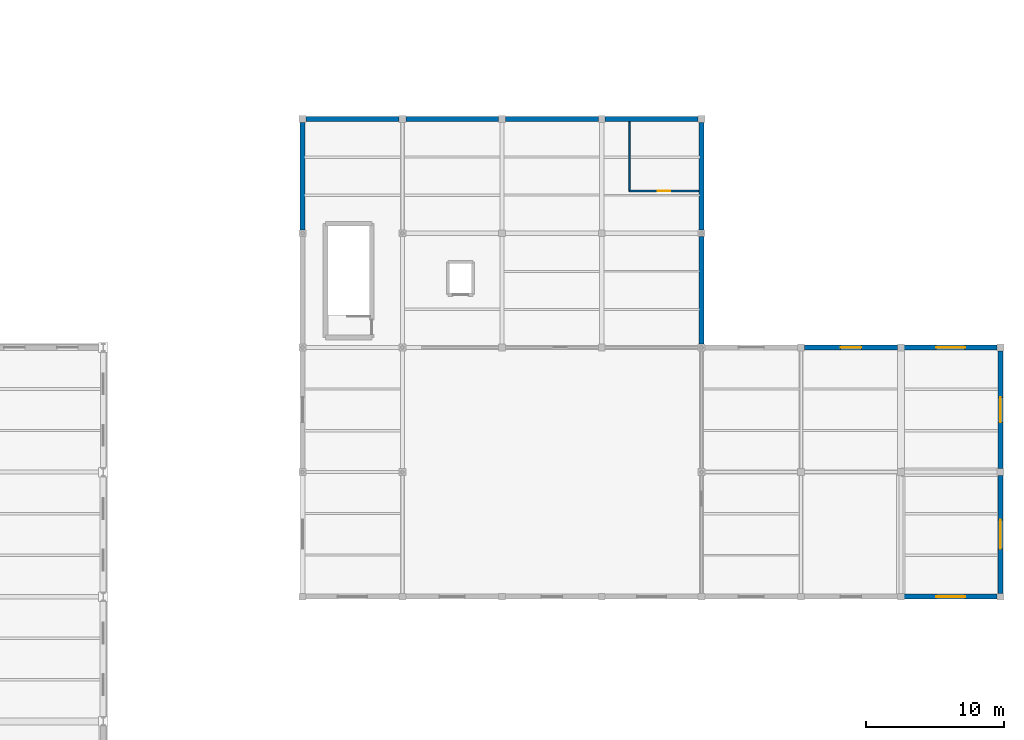
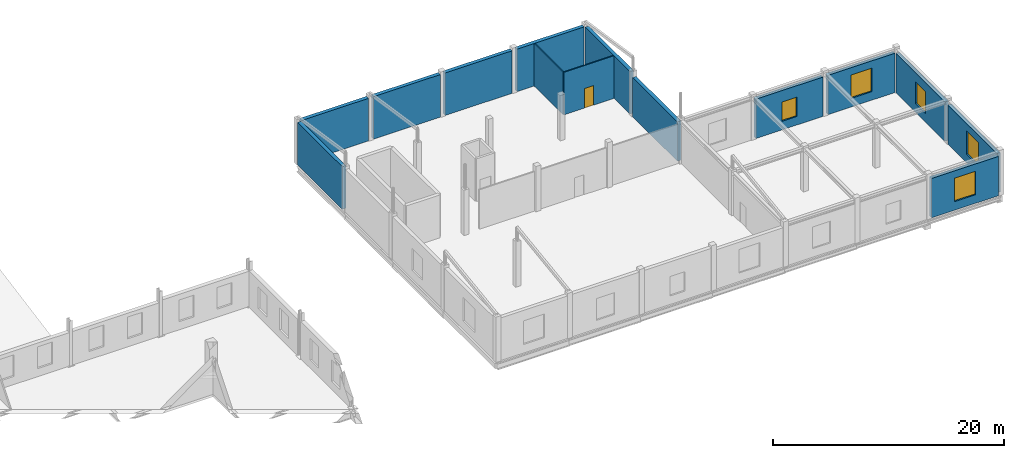
# One storey, part 22 of 35: 14 walls, 5 windows, 1 door, 6 openings.
"""IFC4 building model written with IfcOpenShell, lengths in metres."""

from ifc_helpers import new_model, si_unit, direction, frame, frame_2d, origin, place, context, subcontext, project, spatial, rectangle, extrude, material, layer, layer_set, type_object, element, fill, save


model = new_model("IFC4")

# Units and contexts
model_context = context("Model", 3, precision=1e-05, world=origin(), true_north=direction((0.0, 1.0)))
body_context = subcontext(model_context, "Body", "Model", "MODEL_VIEW")
ifc_project = project(units=[si_unit("LENGTHUNIT", "METRE"), si_unit("AREAUNIT", "SQUARE_METRE"), si_unit("VOLUMEUNIT", "CUBIC_METRE"), si_unit("PLANEANGLEUNIT", "RADIAN"), si_unit("MASSUNIT", "GRAM", prefix="KILO")], contexts=[model_context])

# Site, building, storey
site_placement = place(None, origin())
site = spatial("IfcSite", under=ifc_project, at=site_placement, CompositionType="ELEMENT")
building_placement = place(site_placement, origin())
building = spatial("IfcBuilding", under=site, at=building_placement, Name="Sundgate Opera House", CompositionType="ELEMENT")
storey_placement = place(building_placement, frame((0.0, 0.0, 21.60009765625)))
storey = spatial("IfcBuildingStorey", under=building, at=storey_placement, Name="L04", CompositionType="ELEMENT", Elevation=21.60009765625)

# Wall, opening, window
ifc_material_1 = material(Name="Scanian red-brown facing brick masonry", Category="masonry")
ifc_layer_1 = layer(ifc_material_1, 0.360107421875)
ifc_layer_set_1 = layer_set([ifc_layer_1], Name="Scanian red-brown facing brick masonry")
wall_type_1 = type_object("IfcWallType", Name="WL-EXT-BRICK-360", PredefinedType="SOLIDWALL", material=ifc_layer_set_1)
wall_1_placement = place(storey_placement, frame((131.64501953125, 87.0, 0.0), z_axis=(0.0, 0.0, 1.0), x_axis=(1.0, 0.0, 0.0)))
wall_1 = element("IfcWall", 1, at=wall_1_placement, inside=storey, type_object=wall_type_1, Name="L04 Conservatory North Brick Wall W0267", PredefinedType="SOLIDWALL", context=body_context, shape_type="SweptSolid", body=[
    extrude(rectangle(XDim=6.7099609375, YDim=0.360107421875, at=frame_2d((3.35498046875, 0.0))), origin(), (0.0, 0.0, 1.0), 4.164794921875),
])
opening_1_placement = place(wall_1_placement, frame((2.60498046875, 0.0, 0.89990234375)))
opening_1 = element("IfcOpeningElement", 2, at=opening_1_placement, cuts=wall_1, Name="Opening W06", PredefinedType="OPENING", context=body_context, shape_type="SweptSolid", body=[
    extrude(rectangle(XDim=1.5, YDim=2.050048828125, at=frame_2d((0.75, 1.02490234375))), frame((0.0, 0.18994140625, 0.0), z_axis=(0.0, -1.0, 0.0), x_axis=(1.0, 0.0, 0.0)), (0.0, 0.0, 1.0), 0.380126953125),
])
ifc_material_2 = material(Name="Low-iron triple glazing in patinated bronze frame", Category="glass")
window_type_1 = type_object("IfcWindowType", Name="WN-CONS-1500x2050", PartitioningType="SINGLE_PANEL", PredefinedType="WINDOW", material=ifc_material_2)
window_1_placement = place(opening_1_placement, origin())
window_1 = element("IfcWindow", 3, at=window_1_placement, inside=storey, type_object=window_type_1, Name="L04 Conservatory Window WN0212", OverallHeight=2.050048828125, OverallWidth=1.5, PartitioningType="SINGLE_PANEL", PredefinedType="WINDOW", context=body_context, shape_type="SweptSolid", body=[
    extrude(rectangle(XDim=1.5, YDim=2.050048828125, at=frame_2d((0.75, 1.02490234375))), frame((0.0, 0.030029296875, 0.0), z_axis=(0.0, -1.0, 0.0), x_axis=(1.0, 0.0, 0.0)), (0.0, 0.0, 1.0), 0.06005859375),
])
fill(opening_1, window_1)

wall_2_placement = place(storey_placement, frame((138.844970703125, 87.0, 0.0), z_axis=(0.0, 0.0, 1.0), x_axis=(1.0, 0.0, 0.0)))
wall_2 = element("IfcWall", 4, at=wall_2_placement, inside=storey, type_object=wall_type_1, Name="L04 Conservatory North Brick Wall W0268", PredefinedType="SOLIDWALL", context=body_context, shape_type="SweptSolid", body=[
    extrude(rectangle(XDim=6.7099609375, YDim=0.360107421875, at=frame_2d((3.35498046875, 0.0))), origin(), (0.0, 0.0, 1.0), 4.164794921875),
])
opening_2_placement = place(wall_2_placement, frame((2.304931640625, 0.0, 0.89990234375)))
opening_2 = element("IfcOpeningElement", 5, at=opening_2_placement, cuts=wall_2, Name="Opening W04", PredefinedType="OPENING", context=body_context, shape_type="SweptSolid", body=[
    extrude(rectangle(XDim=2.10009765625, YDim=2.5, at=frame_2d((1.050048828125, 1.25))), frame((0.0, 0.18994140625, 0.0), z_axis=(0.0, -1.0, 0.0), x_axis=(1.0, 0.0, 0.0)), (0.0, 0.0, 1.0), 0.380126953125),
])
ifc_material_3 = material(Name="Low-iron triple glazing in patinated bronze frame", Category="glass")
window_type_2 = type_object("IfcWindowType", Name="WN-CONS-2100x2500", PartitioningType="SINGLE_PANEL", PredefinedType="WINDOW", material=ifc_material_3)
window_2_placement = place(opening_2_placement, origin())
window_2 = element("IfcWindow", 6, at=window_2_placement, inside=storey, type_object=window_type_2, Name="L04 Conservatory Window WN0213", OverallHeight=2.5, OverallWidth=2.10009765625, PartitioningType="SINGLE_PANEL", PredefinedType="WINDOW", context=body_context, shape_type="SweptSolid", body=[
    extrude(rectangle(XDim=2.10009765625, YDim=2.5, at=frame_2d((1.050048828125, 1.25))), frame((0.0, 0.030029296875, 0.0), z_axis=(0.0, -1.0, 0.0), x_axis=(1.0, 0.0, 0.0)), (0.0, 0.0, 1.0), 0.06005859375),
])
fill(opening_2, window_2)

wall_3_placement = place(storey_placement, frame((145.800048828125, 77.7548828125, 0.0), z_axis=(0.0, 0.0, 1.0), x_axis=(0.0, -1.0, 0.0)))
wall_3 = element("IfcWall", 7, at=wall_3_placement, inside=storey, type_object=wall_type_1, Name="L04 Conservatory East Brick Wall W0269", PredefinedType="SOLIDWALL", context=body_context, shape_type="SweptSolid", body=[
    extrude(rectangle(XDim=8.509765625, YDim=0.360107421875, at=frame_2d((4.2548828125, 0.0))), origin(), (0.0, 0.0, 1.0), 4.164794921875),
])
opening_3_placement = place(wall_3_placement, frame((3.205078125, 0.0, 0.89990234375)))
opening_3 = element("IfcOpeningElement", 8, at=opening_3_placement, cuts=wall_3, Name="Opening W04", PredefinedType="OPENING", context=body_context, shape_type="SweptSolid", body=[
    extrude(rectangle(XDim=2.10009765625, YDim=2.5, at=frame_2d((1.050048828125, 1.25))), frame((0.0, 0.18994140625, 0.0), z_axis=(0.0, -1.0, 0.0), x_axis=(1.0, 0.0, 0.0)), (0.0, 0.0, 1.0), 0.380126953125),
])
window_3_placement = place(opening_3_placement, origin())
window_3 = element("IfcWindow", 9, at=window_3_placement, inside=storey, type_object=window_type_2, Name="L04 Conservatory Window WN0214", OverallHeight=2.5, OverallWidth=2.10009765625, PartitioningType="SINGLE_PANEL", PredefinedType="WINDOW", context=body_context, shape_type="SweptSolid", body=[
    extrude(rectangle(XDim=2.10009765625, YDim=2.5, at=frame_2d((1.050048828125, 1.25))), frame((0.0, 0.030029296875, 0.0), z_axis=(0.0, -1.0, 0.0), x_axis=(1.0, 0.0, 0.0)), (0.0, 0.0, 1.0), 0.06005859375),
])
fill(opening_3, window_3)

wall_4_placement = place(storey_placement, frame((145.800048828125, 86.7548828125, 0.0), z_axis=(0.0, 0.0, 1.0), x_axis=(0.0, -1.0, 0.0)))
wall_4 = element("IfcWall", 10, at=wall_4_placement, inside=storey, type_object=wall_type_1, Name="L04 Conservatory East Brick Wall W0270", PredefinedType="SOLIDWALL", context=body_context, shape_type="SweptSolid", body=[
    extrude(rectangle(XDim=8.509765625, YDim=0.360107421875, at=frame_2d((4.2548828125, 0.0))), origin(), (0.0, 0.0, 1.0), 4.164794921875),
])
opening_4_placement = place(wall_4_placement, frame((3.35498046875, 0.0, 0.89990234375)))
opening_4 = element("IfcOpeningElement", 11, at=opening_4_placement, cuts=wall_4, Name="Opening W05", PredefinedType="OPENING", context=body_context, shape_type="SweptSolid", body=[
    extrude(rectangle(XDim=1.800048828125, YDim=2.300048828125, at=frame_2d((0.89990234375, 1.14990234375))), frame((0.0, 0.18994140625, 0.0), z_axis=(0.0, -1.0, 0.0), x_axis=(1.0, 0.0, 0.0)), (0.0, 0.0, 1.0), 0.380126953125),
])
ifc_material_4 = material(Name="Low-iron triple glazing in patinated bronze frame", Category="glass")
window_type_3 = type_object("IfcWindowType", Name="WN-CONS-1800x2300", PartitioningType="SINGLE_PANEL", PredefinedType="WINDOW", material=ifc_material_4)
window_4_placement = place(opening_4_placement, origin())
window_4 = element("IfcWindow", 12, at=window_4_placement, inside=storey, type_object=window_type_3, Name="L04 Conservatory Window WN0215", OverallHeight=2.300048828125, OverallWidth=1.800048828125, PartitioningType="SINGLE_PANEL", PredefinedType="WINDOW", context=body_context, shape_type="SweptSolid", body=[
    extrude(rectangle(XDim=1.800048828125, YDim=2.300048828125, at=frame_2d((0.89990234375, 1.14990234375))), frame((0.0, 0.030029296875, 0.0), z_axis=(0.0, -1.0, 0.0), x_axis=(1.0, 0.0, 0.0)), (0.0, 0.0, 1.0), 0.06005859375),
])
fill(opening_4, window_4)

wall_5_placement = place(storey_placement, frame((145.554931640625, 69.0, 0.0), z_axis=(0.0, 0.0, 1.0), x_axis=(-1.0, 0.0, 0.0)))
wall_5 = element("IfcWall", 13, at=wall_5_placement, inside=storey, type_object=wall_type_1, Name="L04 Conservatory South Brick Wall W0279", PredefinedType="SOLIDWALL", context=body_context, shape_type="SweptSolid", body=[
    extrude(rectangle(XDim=6.7099609375, YDim=0.360107421875, at=frame_2d((3.35498046875, 0.0))), origin(), (0.0, 0.0, 1.0), 4.164794921875),
])
opening_5_placement = place(wall_5_placement, frame((2.304931640625, 0.0, 0.89990234375)))
opening_5 = element("IfcOpeningElement", 14, at=opening_5_placement, cuts=wall_5, Name="Opening W04", PredefinedType="OPENING", context=body_context, shape_type="SweptSolid", body=[
    extrude(rectangle(XDim=2.10009765625, YDim=2.5, at=frame_2d((1.050048828125, 1.25))), frame((0.0, 0.18994140625, 0.0), z_axis=(0.0, -1.0, 0.0), x_axis=(1.0, 0.0, 0.0)), (0.0, 0.0, 1.0), 0.380126953125),
])
window_5_placement = place(opening_5_placement, origin())
window_5 = element("IfcWindow", 15, at=window_5_placement, inside=storey, type_object=window_type_2, Name="L04 Conservatory Window WN0224", OverallHeight=2.5, OverallWidth=2.10009765625, PartitioningType="SINGLE_PANEL", PredefinedType="WINDOW", context=body_context, shape_type="SweptSolid", body=[
    extrude(rectangle(XDim=2.10009765625, YDim=2.5, at=frame_2d((1.050048828125, 1.25))), frame((0.0, 0.030029296875, 0.0), z_axis=(0.0, -1.0, 0.0), x_axis=(1.0, 0.0, 0.0)), (0.0, 0.0, 1.0), 0.06005859375),
])
fill(opening_5, window_5)

# Walls
for number, where, z_axis, x_axis, name in (
    (16, (95.64501953125, 103.5, 0.0), (0.0, 0.0, 1.0), (1.0, 0.0, 0.0), "L04 Conservatory North Brick Wall W0297"),
    (17, (102.844970703125, 103.5, 0.0), (0.0, 0.0, 1.0), (1.0, 0.0, 0.0), "L04 Conservatory North Brick Wall W0298"),
    (18, (110.044921875, 103.5, 0.0), (0.0, 0.0, 1.0), (1.0, 0.0, 0.0), "L04 Conservatory North Brick Wall W0299"),
    (19, (117.2451171875, 103.5, 0.0), (0.0, 0.0, 1.0), (1.0, 0.0, 0.0), "L04 Conservatory North Brick Wall W0300"),
):
    element("IfcWall", number, at=place(storey_placement, frame(where, z_axis=z_axis, x_axis=x_axis)), inside=storey, type_object=wall_type_1, Name=name, PredefinedType="SOLIDWALL", context=body_context, shape_type="SweptSolid", body=[
        extrude(rectangle(XDim=6.7099609375, YDim=0.360107421875, at=frame_2d((3.35498046875, 0.0))), origin(), (0.0, 0.0, 1.0), 4.5048828125),
    ])
wall_6_placement = place(storey_placement, frame((95.39990234375, 103.2548828125, 0.0), z_axis=(0.0, 0.0, 1.0), x_axis=(0.0, -1.0, 0.0)))
element("IfcWall", 20, at=wall_6_placement, inside=storey, type_object=wall_type_1, Name="L04 Conservatory West Brick Wall W0302", PredefinedType="SOLIDWALL", context=body_context, shape_type="SweptSolid", body=[
    extrude(rectangle(XDim=7.759765625, YDim=0.360107421875, at=frame_2d((3.8798828125, 0.0))), origin(), (0.0, 0.0, 1.0), 4.5048828125),
])
wall_7_placement = place(storey_placement, frame((124.199951171875, 87.2451171875, 0.0), z_axis=(0.0, 0.0, 1.0), x_axis=(0.0, 1.0, 0.0)))
element("IfcWall", 21, at=wall_7_placement, inside=storey, type_object=wall_type_1, Name="L04 Conservatory East Brick Wall W0303", PredefinedType="SOLIDWALL", context=body_context, shape_type="SweptSolid", body=[
    extrude(rectangle(XDim=7.759765625, YDim=0.360107421875, at=frame_2d((3.8798828125, 0.0))), origin(), (0.0, 0.0, 1.0), 4.164794921875),
])
wall_8_placement = place(storey_placement, frame((124.199951171875, 95.4951171875, 0.0), z_axis=(0.0, 0.0, 1.0), x_axis=(0.0, 1.0, 0.0)))
element("IfcWall", 22, at=wall_8_placement, inside=storey, type_object=wall_type_1, Name="L04 Conservatory East Brick Wall W0304", PredefinedType="SOLIDWALL", context=body_context, shape_type="SweptSolid", body=[
    extrude(rectangle(XDim=7.759765625, YDim=0.360107421875, at=frame_2d((3.8798828125, 0.0))), origin(), (0.0, 0.0, 1.0), 4.5048828125),
])

# Wall, opening, door
ifc_material_5 = material(Name="Moisture-resistant sanitary partition", Category="gypsum")
ifc_layer_2 = layer(ifc_material_5, 0.114990234375)
ifc_layer_set_2 = layer_set([ifc_layer_2], Name="Moisture-resistant sanitary partition")
wall_type_2 = type_object("IfcWallType", Name="WL-INT-WET-115", PredefinedType="PARTITIONING", material=ifc_layer_set_2)
wall_9_placement = place(storey_placement, frame((119.0, 98.300048828125, 0.0), z_axis=(0.0, 0.0, 1.0), x_axis=(1.0, 0.0, 0.0)))
wall_9 = element("IfcWall", 23, at=wall_9_placement, inside=storey, type_object=wall_type_2, Name="L04 Interior Partition W1087", PredefinedType="PARTITIONING", context=body_context, shape_type="SweptSolid", body=[
    extrude(rectangle(XDim=5.0, YDim=0.114990234375, at=frame_2d((2.5, 0.0))), origin(), (0.0, 0.0, 1.0), 4.5048828125),
])
opening_6_placement = place(wall_9_placement, frame((2.0400390625, 0.0, 0.0)))
opening_6 = element("IfcOpeningElement", 24, at=opening_6_placement, cuts=wall_9, Name="Opening DI12", PredefinedType="OPENING", context=body_context, shape_type="SweptSolid", body=[
    extrude(rectangle(XDim=0.919921875, YDim=2.080078125, at=frame_2d((0.4599609375, 1.0400390625))), frame((0.0, 0.0673828125, 0.0), z_axis=(0.0, -1.0, 0.0), x_axis=(1.0, 0.0, 0.0)), (0.0, 0.0, 1.0), 0.135009765625),
])
ifc_material_6 = material(Name="Acoustic hardwood timber and steel core", Category="steel")
door_type = type_object("IfcDoorType", Name="DR-WC-920x2080", OperationType="NOTDEFINED", PredefinedType="DOOR", material=ifc_material_6)
door_placement = place(opening_6_placement, origin())
door = element("IfcDoor", 25, at=door_placement, inside=storey, type_object=door_type, Name="L04 Interior Door D0239", OperationType="SINGLE_SWING_LEFT", OverallHeight=2.080078125, OverallWidth=0.919921875, PredefinedType="DOOR", context=body_context, shape_type="SweptSolid", body=[
    extrude(rectangle(XDim=0.919921875, YDim=2.080078125, at=frame_2d((0.4599609375, 1.0400390625))), frame((0.0, 0.02490234375, 0.0), z_axis=(0.0, -1.0, 0.0), x_axis=(1.0, 0.0, 0.0)), (0.0, 0.0, 1.0), 0.050048828125),
])
fill(opening_6, door)

# Wall
wall_10_placement = place(storey_placement, frame((119.0, 98.300048828125, 0.0), z_axis=(0.0, 0.0, 1.0), x_axis=(0.0, 1.0, 0.0)))
element("IfcWall", 26, at=wall_10_placement, inside=storey, type_object=wall_type_2, Name="L04 Interior Partition W1088", PredefinedType="PARTITIONING", context=body_context, shape_type="SweptSolid", body=[
    extrude(rectangle(XDim=5.0, YDim=0.114990234375, at=frame_2d((2.5, 0.0))), origin(), (0.0, 0.0, 1.0), 4.5048828125),
])

save(model, "model.ifc")
